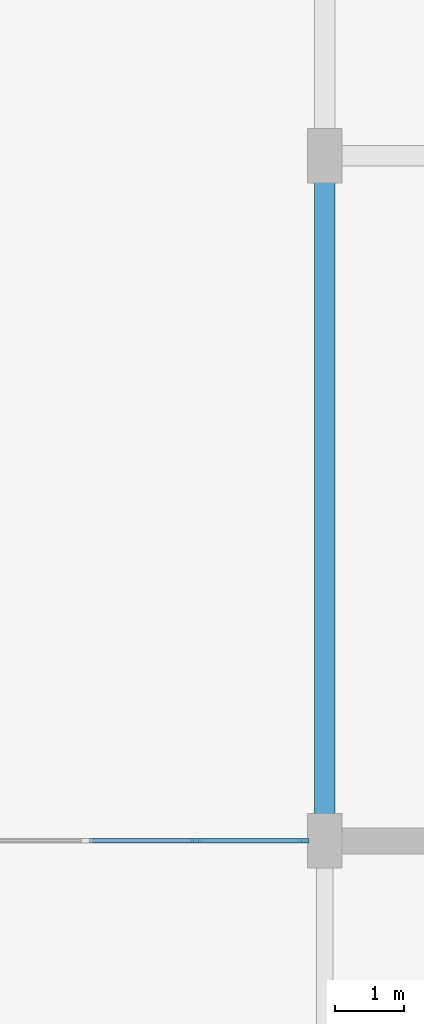
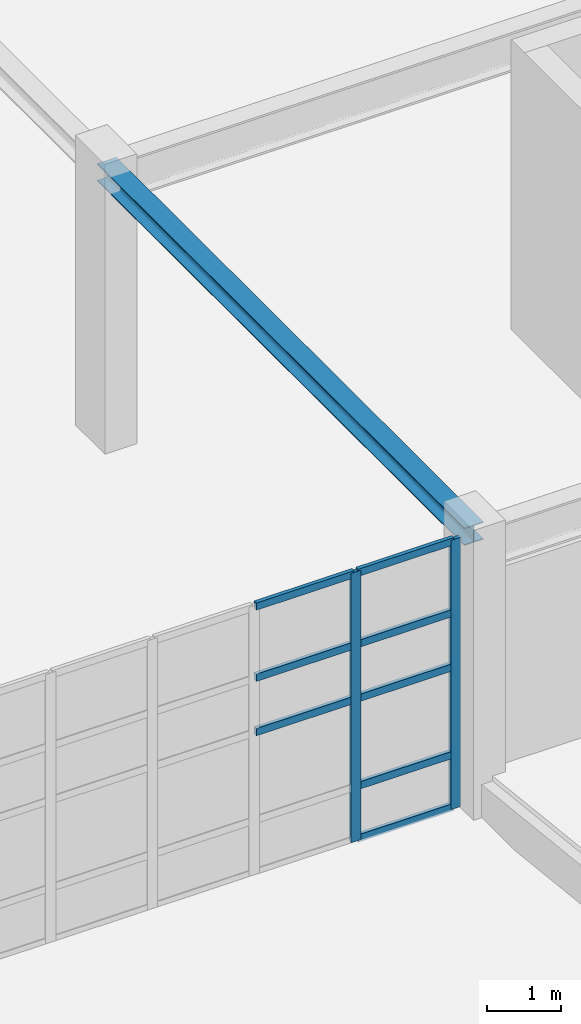
# One storey, part 40 of 139: 10 members, 1 beam, 1 element without a shape of its own.
"""IFC4 building model written with IfcOpenShell, lengths in metres."""

from ifc_helpers import new_model, si_unit, direction, frame, origin, origin_2d, place, context, subcontext, project, spatial, rectangle, i_section, extrude, material, layer, layer_set, material_profile, profile_set, type_object, element, aggregate, save


model = new_model("IFC4")

# Units and contexts
model_context = context("Model", 3, precision=1e-05, world=origin(), true_north=direction((0.0, 1.0)))
body_context = subcontext(model_context, "Body", "Model", "MODEL_VIEW")
ifc_project = project(units=[si_unit("LENGTHUNIT", "METRE"), si_unit("AREAUNIT", "SQUARE_METRE"), si_unit("VOLUMEUNIT", "CUBIC_METRE"), si_unit("PLANEANGLEUNIT", "RADIAN"), si_unit("MASSUNIT", "GRAM", prefix="KILO"), si_unit("THERMODYNAMICTEMPERATUREUNIT", "KELVIN"), si_unit("POWERUNIT", "WATT")], contexts=[model_context])

# Site, building, storey
site_placement = place(None, origin())
site = spatial("IfcSite", under=ifc_project, at=site_placement, CompositionType="ELEMENT")
building_placement = place(site_placement, origin())
building = spatial("IfcBuilding", under=site, at=building_placement, Name="Korenveer Ferry Terminal", CompositionType="ELEMENT")
storey_placement = place(building_placement, frame((0.0, 0.0, 5.39990234375)))
storey = spatial("IfcBuildingStorey", under=building, at=storey_placement, Name="L01", CompositionType="ELEMENT", Elevation=5.39990234375)

# Curtain wall, members
ifc_material_1 = material(Name="Unitised bronze-and-glass curtain wall", Category="glass")
ifc_layer = layer(ifc_material_1, 0.159912109375)
ifc_layer_set = layer_set([ifc_layer], Name="Unitised bronze-and-glass curtain wall")
curtain_wall_type = type_object("IfcCurtainWallType", Name="ENV-CW-39", PredefinedType="USERDEFINED", material=ifc_layer_set)
curtain_wall_placement = place(storey_placement, frame((113.155029296875, 20.0, 0.0)))
curtain_wall = element("IfcCurtainWall", 1, at=curtain_wall_placement, inside=storey, type_object=curtain_wall_type, Name="Lancet curtain wall CWX-L01-X113-123-Y20-20", ObjectType="UNITISED CURTAIN WALL", PredefinedType="USERDEFINED")
ifc_material_2 = material(Name="Anodised bronze aluminium", Category="aluminium")
ifc_material_profile_1 = material_profile(ifc_material_2, rectangle(XDim=0.06005859375, YDim=0.159912109375, at=origin_2d()), Name="ALU 60x160")
ifc_profile_set_1 = profile_set([ifc_material_profile_1], Name="Anodised bronze aluminium")
member_type_1 = type_object("IfcMemberType", Name="ENV-CWM-60X160", PredefinedType="MULLION", material=ifc_profile_set_1)
member_1_placement = place(storey_placement, frame((121.125732421875, 20.0, 0.0), z_axis=(0.0, 0.0, 1.0), x_axis=(0.0, 1.0, 0.0)))
member_1 = element("IfcMember", 2, at=member_1_placement, type_object=member_type_1, Name="CW-39 mullion 6", PredefinedType="MULLION", context=body_context, shape_type="SweptSolid", body=[
    extrude(rectangle(XDim=0.06005859375, YDim=0.159912109375, at=origin_2d()), origin(), (0.0, 0.0, 1.0), 4.460205078125),
])
member_2_placement = place(storey_placement, frame((122.68994140625, 20.0, 0.0), z_axis=(0.0, 0.0, 1.0), x_axis=(0.0, 1.0, 0.0)))
member_2 = element("IfcMember", 3, at=member_2_placement, type_object=member_type_1, Name="CW-39 mullion 7", PredefinedType="MULLION", context=body_context, shape_type="SweptSolid", body=[
    extrude(rectangle(XDim=0.06005859375, YDim=0.159912109375, at=origin_2d()), origin(), (0.0, 0.0, 1.0), 4.460205078125),
])
ifc_material_profile_2 = material_profile(ifc_material_2, rectangle(XDim=0.06005859375, YDim=0.1201171875, at=origin_2d()), Name="ALU 60x120")
ifc_profile_set_2 = profile_set([ifc_material_profile_2], Name="Anodised bronze aluminium")
member_type_2 = type_object("IfcMemberType", Name="ENV-CWT-60X120", PredefinedType="USERDEFINED", material=ifc_profile_set_2)
member_3_placement = place(storey_placement, frame((119.561767578125, 20.0, 2.35009765625), z_axis=(1.0, 0.0, 0.0), x_axis=(0.0, 1.0, 0.0)))
member_3 = element("IfcMember", 4, at=member_3_placement, type_object=member_type_2, Name="CW-39 transom 5.3", ObjectType="TRANSOM", PredefinedType="USERDEFINED", context=body_context, shape_type="SweptSolid", body=[
    extrude(rectangle(XDim=0.06005859375, YDim=0.1201171875, at=origin_2d()), origin(), (0.0, 0.0, 1.0), 1.5341796875),
])
member_4_placement = place(storey_placement, frame((119.561767578125, 20.0, 3.25), z_axis=(1.0, 0.0, 0.0), x_axis=(0.0, 1.0, 0.0)))
member_4 = element("IfcMember", 5, at=member_4_placement, type_object=member_type_2, Name="CW-39 transom 5.4", ObjectType="TRANSOM", PredefinedType="USERDEFINED", context=body_context, shape_type="SweptSolid", body=[
    extrude(rectangle(XDim=0.06005859375, YDim=0.1201171875, at=origin_2d()), origin(), (0.0, 0.0, 1.0), 1.5341796875),
])
member_5_placement = place(storey_placement, frame((119.561767578125, 20.0, 4.43017578125), z_axis=(1.0, 0.0, 0.0), x_axis=(0.0, 1.0, 0.0)))
member_5 = element("IfcMember", 6, at=member_5_placement, type_object=member_type_2, Name="CW-39 transom 5.5", ObjectType="TRANSOM", PredefinedType="USERDEFINED", context=body_context, shape_type="SweptSolid", body=[
    extrude(rectangle(XDim=0.06005859375, YDim=0.1201171875, at=origin_2d()), origin(), (0.0, 0.0, 1.0), 1.5341796875),
])
member_6_placement = place(storey_placement, frame((121.15576171875, 20.0, 0.030029296875), z_axis=(1.0, 0.0, 0.0), x_axis=(0.0, 1.0, 0.0)))
member_6 = element("IfcMember", 7, at=member_6_placement, type_object=member_type_2, Name="CW-39 transom 6.1", ObjectType="TRANSOM", PredefinedType="USERDEFINED", context=body_context, shape_type="SweptSolid", body=[
    extrude(rectangle(XDim=0.06005859375, YDim=0.1201171875, at=origin_2d()), origin(), (0.0, 0.0, 1.0), 1.504150390625),
])
member_7_placement = place(storey_placement, frame((121.15576171875, 20.0, 0.900146484375), z_axis=(1.0, 0.0, 0.0), x_axis=(0.0, 1.0, 0.0)))
member_7 = element("IfcMember", 8, at=member_7_placement, type_object=member_type_2, Name="CW-39 transom 6.2", ObjectType="TRANSOM", PredefinedType="USERDEFINED", context=body_context, shape_type="SweptSolid", body=[
    extrude(rectangle(XDim=0.06005859375, YDim=0.1201171875, at=origin_2d()), origin(), (0.0, 0.0, 1.0), 1.504150390625),
])
member_8_placement = place(storey_placement, frame((121.15576171875, 20.0, 2.35009765625), z_axis=(1.0, 0.0, 0.0), x_axis=(0.0, 1.0, 0.0)))
member_8 = element("IfcMember", 9, at=member_8_placement, type_object=member_type_2, Name="CW-39 transom 6.3", ObjectType="TRANSOM", PredefinedType="USERDEFINED", context=body_context, shape_type="SweptSolid", body=[
    extrude(rectangle(XDim=0.06005859375, YDim=0.1201171875, at=origin_2d()), origin(), (0.0, 0.0, 1.0), 1.504150390625),
])
member_9_placement = place(storey_placement, frame((121.15576171875, 20.0, 3.25), z_axis=(1.0, 0.0, 0.0), x_axis=(0.0, 1.0, 0.0)))
member_9 = element("IfcMember", 10, at=member_9_placement, type_object=member_type_2, Name="CW-39 transom 6.4", ObjectType="TRANSOM", PredefinedType="USERDEFINED", context=body_context, shape_type="SweptSolid", body=[
    extrude(rectangle(XDim=0.06005859375, YDim=0.1201171875, at=origin_2d()), origin(), (0.0, 0.0, 1.0), 1.504150390625),
])
member_10_placement = place(storey_placement, frame((121.15576171875, 20.0, 4.43017578125), z_axis=(1.0, 0.0, 0.0), x_axis=(0.0, 1.0, 0.0)))
member_10 = element("IfcMember", 11, at=member_10_placement, type_object=member_type_2, Name="CW-39 transom 6.5", ObjectType="TRANSOM", PredefinedType="USERDEFINED", context=body_context, shape_type="SweptSolid", body=[
    extrude(rectangle(XDim=0.06005859375, YDim=0.1201171875, at=origin_2d()), origin(), (0.0, 0.0, 1.0), 1.504150390625),
])
aggregate(curtain_wall, [member_1, member_2, member_3, member_4, member_5, member_6, member_7, member_8, member_9, member_10])

# Beam
ifc_material_3 = material(Name="Steel S355", Category="steel")
ifc_material_profile_3 = material_profile(ifc_material_3, i_section(OverallWidth=0.300048828125, OverallDepth=0.2900390625, WebThickness=0.008544921875, FlangeThickness=0.013916015625, FilletRadius=0.027099609375, at=origin_2d()), Name="HEA 300")
ifc_profile_set_3 = profile_set([ifc_material_profile_3], Name="Steel S355")
beam_type = type_object("IfcBeamType", Name="STR-BM-HEA300", PredefinedType="BEAM", material=ifc_profile_set_3)
beam_placement = place(storey_placement, frame((123.0, 20.02001953125, 4.405029296875), z_axis=(0.0, 1.0, 0.0), x_axis=(-1.0, 0.0, 0.0)))
element("IfcBeam", 12, at=beam_placement, inside=storey, type_object=beam_type, Name="Primary Y girder BMY-L02-X123-Y20-30", PredefinedType="BEAM", context=body_context, shape_type="SweptSolid", body=[
    extrude(i_section(OverallWidth=0.300048828125, OverallDepth=0.2900390625, WebThickness=0.008544921875, FlangeThickness=0.013916015625, FilletRadius=0.027099609375, at=origin_2d()), origin(), (0.0, 0.0, 1.0), 9.9599609375),
])

save(model, "model.ifc")
